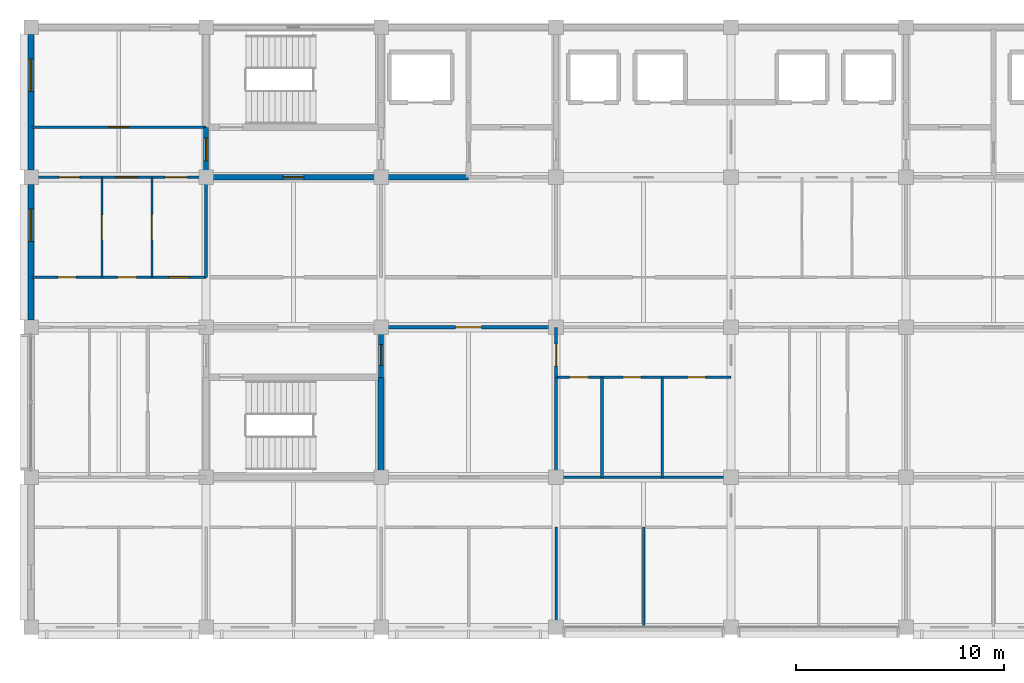
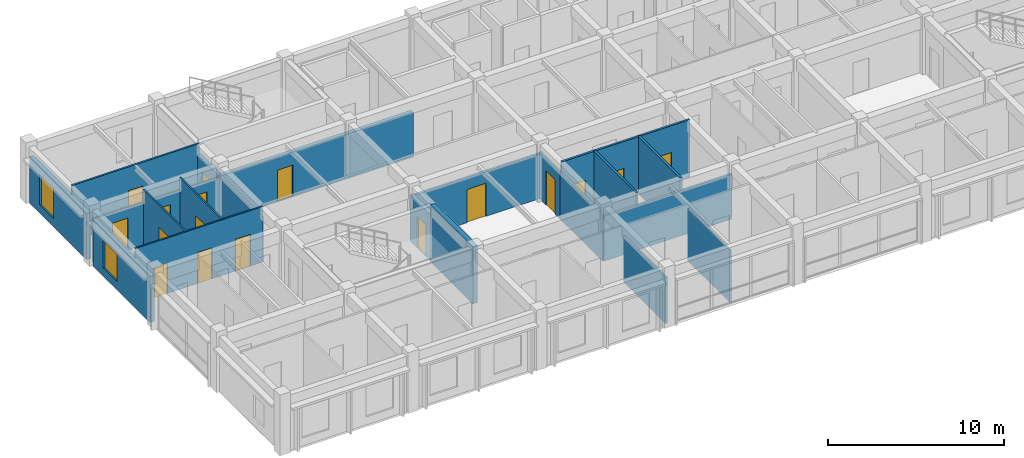
# One storey, part 11 of 19: 21 walls, 17 doors, 2 windows, 19 openings.
"""IFC4 building model written with IfcOpenShell, lengths in metres."""

import ifcopenshell
import ifcopenshell.guid

model = None  # the IFC model being written
_history = None  # IfcOwnerHistory: only IFC2X3 demands one
_inside = {}  # id of a spatial element -> (the spatial element, [elements in it])
_under = {}  # id of a project, library or spatial element -> (it, [spatial elements below it])
_declared = {}  # id of a project -> (the project, [libraries it declares])
_typed = {}  # id of a type object -> (the type object, [elements of that type])
_made_of = {}  # id of a material, layer set ... -> (it, [elements and type objects made of it])


def new_model(schema):
    """Start an empty IFC model of exactly this schema.

    Asked for "IFC4X3", IfcOpenShell would pick the latest addendum, in which some entities
    have other attributes; the version numbers below select the first issue.
    IFC2X3 requires an IfcOwnerHistory on every rooted entity: one is made here for all.
    """
    global model, _history
    if schema == "IFC4X3":
        model = ifcopenshell.file(schema_version=(4, 3, 0, 0))
    else:
        model = ifcopenshell.file(schema=schema)
    _inside.clear()
    _under.clear()
    _declared.clear()
    _typed.clear()
    _made_of.clear()
    _history = None
    if model.schema == "IFC2X3":
        org = make("IfcOrganization", Name="unknown")
        user = make(
            "IfcPersonAndOrganization",
            ThePerson=make("IfcPerson", FamilyName="unknown"),
            TheOrganization=org,
        )
        app = make(
            "IfcApplication",
            ApplicationDeveloper=org,
            Version="unknown",
            ApplicationFullName="unknown",
            ApplicationIdentifier="unknown",
        )
        _history = make(
            "IfcOwnerHistory",
            OwningUser=user,
            OwningApplication=app,
            ChangeAction="ADDED",
            CreationDate=0,
        )
    return model


def make(cls, **values):
    """One entity of the class cls with the attributes given. An attribute that is None is left unset."""
    return model.create_entity(
        cls, **{name: value for name, value in values.items() if value is not None}
    )


def rooted(cls, **values):
    """An entity with a GlobalId (a new one), such as an element, a storey or a relation."""
    return make(cls, GlobalId=ifcopenshell.guid.new(), OwnerHistory=_history, **values)


def si_unit(unit_type, name, prefix=None):
    """IfcSIUnit, for example si_unit("LENGTHUNIT", "METRE", prefix="MILLI")."""
    return make("IfcSIUnit", UnitType=unit_type, Prefix=prefix, Name=name)


def assignment(units):
    """IfcUnitAssignment: the units of a project."""
    return None if units is None else make("IfcUnitAssignment", Units=units)


def point(xyz):
    """IfcCartesianPoint."""
    return None if xyz is None else make("IfcCartesianPoint", Coordinates=xyz)


def direction(xyz):
    """IfcDirection."""
    return None if xyz is None else make("IfcDirection", DirectionRatios=xyz)


def frame(location, z_axis=None, x_axis=None):
    """IfcAxis2Placement3D, a coordinate frame: its origin and axes. An axis left out is left unset."""
    return make(
        "IfcAxis2Placement3D",
        Location=point(location),
        Axis=direction(z_axis),
        RefDirection=direction(x_axis),
    )


def frame_2d(location, x_axis=None):
    """IfcAxis2Placement2D, a coordinate frame in the plane: its origin and x axis."""
    return make(
        "IfcAxis2Placement2D", Location=point(location), RefDirection=direction(x_axis)
    )


def origin():
    """The frame at (0, 0, 0) with its axes left unset."""
    return frame((0.0, 0.0, 0.0))


def place(relative_to, where):
    """IfcLocalPlacement: puts the frame where relative to a parent placement (None: the world)."""
    return make(
        "IfcLocalPlacement", PlacementRelTo=relative_to, RelativePlacement=where
    )


def context(
    kind, dimensions, precision=None, world=None, true_north=None, identifier=None
):
    """IfcGeometricRepresentationContext, for example the 3D "Model" context."""
    return make(
        "IfcGeometricRepresentationContext",
        ContextIdentifier=identifier,
        ContextType=kind,
        CoordinateSpaceDimension=dimensions,
        Precision=precision,
        WorldCoordinateSystem=world,
        TrueNorth=true_north,
    )


def subcontext(parent, identifier, kind, view, scale=None):
    """IfcGeometricRepresentationSubContext, for example "Body" below "Model"."""
    return make(
        "IfcGeometricRepresentationSubContext",
        ContextIdentifier=identifier,
        ContextType=kind,
        ParentContext=parent,
        TargetScale=scale,
        TargetView=view,
    )


def project(units=None, contexts=None):
    """IfcProject with its units and contexts."""
    return rooted(
        "IfcProject",
        Name="project",
        RepresentationContexts=contexts,
        UnitsInContext=assignment(units),
    )


def spatial(cls, under=None, at=None, **own):
    """A site, building, storey or space (cls), placed at a placement, below another one or the project."""
    s = rooted(cls, ObjectPlacement=at, **own)
    if under is not None:
        _under.setdefault(under.id(), (under, []))[1].append(s)
    return s


def profile(cls, at=None, kind="AREA", **sizes):
    """A parametric profile (cls). Its sizes go by their IFC names, for example OverallWidth=200.0."""
    return make(cls, ProfileType=kind, Position=at, **sizes)


def rectangle(**sizes):
    """IfcRectangleProfileDef."""
    return profile("IfcRectangleProfileDef", **sizes)


def extrude(swept, where, along, depth):
    """IfcExtrudedAreaSolid: the profile swept, set in the frame where, extruded along a direction by depth."""
    return make(
        "IfcExtrudedAreaSolid",
        SweptArea=swept,
        Position=where,
        ExtrudedDirection=direction(along),
        Depth=depth,
    )


def shape(context_of_items, identifier, shape_type, items):
    """IfcShapeRepresentation: the items that make up one representation, for example the "Body"."""
    return make(
        "IfcShapeRepresentation",
        ContextOfItems=context_of_items,
        RepresentationIdentifier=identifier,
        RepresentationType=shape_type,
        Items=items,
    )


def material(Name=None, Category=None):
    """IfcMaterial."""
    return make("IfcMaterial", Name=Name, Category=Category)


def layer(
    of_material, thickness, ventilated=None, Name=None, Category=None, Priority=None
):
    """IfcMaterialLayer: one layer of a wall or slab, of a material (None: an air gap)."""
    return make(
        "IfcMaterialLayer",
        Material=of_material,
        LayerThickness=thickness,
        IsVentilated=ventilated,
        Name=Name,
        Category=Category,
        Priority=Priority,
    )


def layer_set(layers, Name=None):
    """IfcMaterialLayerSet."""
    return make("IfcMaterialLayerSet", MaterialLayers=layers, LayerSetName=Name)


def made_of(thing, what):
    """Note that an element or type object is made of a material, layer set ...; save() writes the relation."""
    if what is not None:
        _made_of.setdefault(what.id(), (what, []))[1].append(thing)
    return thing


def type_object(cls, material=None, **own):
    """A type object (cls), such as IfcWallType, which elements share."""
    return made_of(rooted(cls, **own), material)


def element(
    cls,
    number,
    at=None,
    inside=None,
    cuts=None,
    type_object=None,
    material=None,
    context=None,
    identifier="Body",
    shape_type=None,
    held_by="IfcProductDefinitionShape",
    body=None,
    shapes=None,
    **own,
):
    """One element of the class cls, such as IfcWall. Its Tag is "e" and its number.

    at: its placement. inside: the storey or other place that contains it. cuts: it is an
    opening in that element (IfcRelVoidsElement). A single representation is given by context,
    identifier, shape_type and body (its items); several are given by shapes. held_by: the class
    of the entity that holds the representations. save() writes the other relations.
    """
    e = rooted(cls, Tag="e%d" % number, ObjectPlacement=at, **own)
    if body is not None:
        shapes = [shape(context, identifier, shape_type, body)]
    if shapes is not None:
        e.Representation = make(held_by, Representations=shapes)
    if inside is not None:
        _inside.setdefault(inside.id(), (inside, []))[1].append(e)
    if cuts is not None:
        rooted(
            "IfcRelVoidsElement", RelatingBuildingElement=cuts, RelatedOpeningElement=e
        )
    if type_object is not None:
        _typed.setdefault(type_object.id(), (type_object, []))[1].append(e)
    return made_of(e, material)


def fill(opening, filler):
    """IfcRelFillsElement: the door or window that sits in an opening."""
    return rooted(
        "IfcRelFillsElement",
        RelatingOpeningElement=opening,
        RelatedBuildingElement=filler,
    )


def aggregate(whole, parts):
    """IfcRelAggregates: a whole, such as a stair, and the parts it consists of."""
    return rooted("IfcRelAggregates", RelatingObject=whole, RelatedObjects=parts)


def save(model, path):
    """Write the relations noted so far, then the file.

    IfcRelAggregates (storeys below a building ...), IfcRelContainedInSpatialStructure (elements
    in a storey), IfcRelDefinesByType, IfcRelAssociatesMaterial and IfcRelDeclares: one each for
    every whole, place, type object, material and project.
    """
    for whole, parts in _under.values():
        aggregate(whole, parts)
    for where, things in _inside.values():
        rooted(
            "IfcRelContainedInSpatialStructure",
            RelatedElements=things,
            RelatingStructure=where,
        )
    for kind, things in _typed.values():
        rooted("IfcRelDefinesByType", RelatedObjects=things, RelatingType=kind)
    for what, things in _made_of.values():
        rooted("IfcRelAssociatesMaterial", RelatedObjects=things, RelatingMaterial=what)
    for by, libraries in _declared.values():
        rooted("IfcRelDeclares", RelatingContext=by, RelatedDefinitions=libraries)
    model.write(path)


model = new_model("IFC4")

# Units and contexts
model_context = context("Model", 3, precision=1e-05, world=origin(), true_north=direction((0.0, 1.0)))
body_context = subcontext(model_context, "Body", "Model", "MODEL_VIEW")
ifc_project = project(units=[si_unit("LENGTHUNIT", "METRE"), si_unit("AREAUNIT", "SQUARE_METRE"), si_unit("VOLUMEUNIT", "CUBIC_METRE"), si_unit("PLANEANGLEUNIT", "RADIAN"), si_unit("MASSUNIT", "GRAM", prefix="KILO")], contexts=[model_context])

# Site, building, storey
site_placement = place(None, origin())
site = spatial("IfcSite", under=ifc_project, at=site_placement, CompositionType="ELEMENT")
building_placement = place(site_placement, origin())
building = spatial("IfcBuilding", under=site, at=building_placement, Name="Chengyuan Square Courthouse", CompositionType="ELEMENT")
storey_placement = place(building_placement, frame((0.0, 0.0, 56.10009765625)))
storey = spatial("IfcBuildingStorey", under=building, at=storey_placement, Name="L13", CompositionType="ELEMENT", Elevation=56.10009765625)

# Wall, opening, window
ifc_material_1 = material(Name="Concrete C40", Category="concrete")
ifc_layer_1 = layer(ifc_material_1, 0.280029296875)
ifc_layer_set_1 = layer_set([ifc_layer_1], Name="Concrete C40")
wall_type_1 = type_object("IfcWallType", Name="WL-EW4", PredefinedType="STANDARD", material=ifc_layer_set_1)
wall_1_placement = place(storey_placement, frame((50.39990234375, 93.945068359375, 0.0), z_axis=(0.0, 0.0, 1.0), x_axis=(0.0, 1.0, 0.0)))
wall_1 = element("IfcWall", 1, at=wall_1_placement, inside=storey, type_object=wall_type_1, Name="Exterior Wall WL-L13-E490", PredefinedType="STANDARD", context=body_context, shape_type="SweptSolid", body=[
    extrude(rectangle(XDim=6.510009765625, YDim=0.280029296875, at=frame_2d((3.2548828125, 0.0))), origin(), (0.0, 0.0, 1.0), 3.199951171875),
])
opening_1_placement = place(wall_1_placement, frame((3.780029296875, 0.0, 0.550048828125)))
opening_1 = element("IfcOpeningElement", 2, at=opening_1_placement, cuts=wall_1, Name="Opening WN-223", PredefinedType="OPENING", context=body_context, shape_type="SweptSolid", body=[
    extrude(rectangle(XDim=1.550048828125, YDim=1.919921875, at=frame_2d((0.77490234375, 0.9599609375))), frame((0.0, 0.152099609375, 0.0), z_axis=(0.0, -1.0, 0.0), x_axis=(1.0, 0.0, 0.0)), (0.0, 0.0, 1.0), 0.303955078125),
])
ifc_material_2 = material(Name="Thermally Broken Aluminium Triple Low-E Window", Category="aluminium")
window_type_1 = type_object("IfcWindowType", Name="WT-29", PartitioningType="SINGLE_PANEL", PredefinedType="WINDOW", material=ifc_material_2)
window_1_placement = place(opening_1_placement, origin())
window_1 = element("IfcWindow", 3, at=window_1_placement, inside=storey, type_object=window_type_1, Name="Facade Window WN-223", OverallHeight=1.919921875, OverallWidth=1.550048828125, PartitioningType="SINGLE_PANEL", PredefinedType="WINDOW", context=body_context, shape_type="SweptSolid", body=[
    extrude(rectangle(XDim=1.550048828125, YDim=1.919921875, at=frame_2d((0.77490234375, 0.9599609375))), frame((0.0, 0.030029296875, 0.0), z_axis=(0.0, -1.0, 0.0), x_axis=(1.0, 0.0, 0.0)), (0.0, 0.0, 1.0), 0.06005859375),
])
fill(opening_1, window_1)

wall_2_placement = place(storey_placement, frame((50.39990234375, 101.14501953125, 0.0), z_axis=(0.0, 0.0, 1.0), x_axis=(0.0, 1.0, 0.0)))
wall_2 = element("IfcWall", 4, at=wall_2_placement, inside=storey, type_object=wall_type_1, Name="Exterior Wall WL-L13-E492", PredefinedType="STANDARD", context=body_context, shape_type="SweptSolid", body=[
    extrude(rectangle(XDim=6.510009765625, YDim=0.280029296875, at=frame_2d((3.2548828125, 0.0))), origin(), (0.0, 0.0, 1.0), 3.199951171875),
])
opening_2_placement = place(wall_2_placement, frame((3.780029296875, 0.0, 0.550048828125)))
opening_2 = element("IfcOpeningElement", 5, at=opening_2_placement, cuts=wall_2, Name="Opening WN-225", PredefinedType="OPENING", context=body_context, shape_type="SweptSolid", body=[
    extrude(rectangle(XDim=1.550048828125, YDim=2.1201171875, at=frame_2d((0.77490234375, 1.06005859375))), frame((0.0, 0.152099609375, 0.0), z_axis=(0.0, -1.0, 0.0), x_axis=(1.0, 0.0, 0.0)), (0.0, 0.0, 1.0), 0.303955078125),
])
window_type_2 = type_object("IfcWindowType", Name="WT-30", PartitioningType="SINGLE_PANEL", PredefinedType="WINDOW", material=ifc_material_2)
window_2_placement = place(opening_2_placement, origin())
window_2 = element("IfcWindow", 6, at=window_2_placement, inside=storey, type_object=window_type_2, Name="Facade Window WN-225", OverallHeight=2.1201171875, OverallWidth=1.550048828125, PartitioningType="SINGLE_PANEL", PredefinedType="WINDOW", context=body_context, shape_type="SweptSolid", body=[
    extrude(rectangle(XDim=1.550048828125, YDim=2.1201171875, at=frame_2d((0.77490234375, 1.06005859375))), frame((0.0, 0.030029296875, 0.0), z_axis=(0.0, -1.0, 0.0), x_axis=(1.0, 0.0, 0.0)), (0.0, 0.0, 1.0), 0.06005859375),
])
fill(opening_2, window_2)

# Wall, opening, door
ifc_layer_2 = layer(ifc_material_1, 0.25)
ifc_layer_set_2 = layer_set([ifc_layer_2], Name="Concrete C40")
wall_type_2 = type_object("IfcWallType", Name="WL-FW1", PredefinedType="STANDARD", material=ifc_layer_set_2)
wall_3_placement = place(storey_placement, frame((58.800048828125, 100.800048828125, 0.0), z_axis=(0.0, 0.0, 1.0), x_axis=(1.0, 0.0, 0.0)))
wall_3 = element("IfcWall", 7, at=wall_3_placement, inside=storey, type_object=wall_type_2, Name="Interior Wall WL-L13-I3797", PredefinedType="STANDARD", context=body_context, shape_type="SweptSolid", body=[
    extrude(rectangle(XDim=12.599853515625, YDim=0.25, at=frame_2d((6.2998046875, 0.0))), origin(), (0.0, 0.0, 1.0), 3.10986328125),
])
opening_3_placement = place(wall_3_placement, frame((3.699951171875, 0.0, 0.0)))
opening_3 = element("IfcOpeningElement", 8, at=opening_3_placement, cuts=wall_3, Name="Opening DR-3129", PredefinedType="OPENING", context=body_context, shape_type="SweptSolid", body=[
    extrude(rectangle(XDim=1.0, YDim=2.199951171875, at=frame_2d((0.5, 1.10009765625))), frame((0.0, 0.136962890625, 0.0), z_axis=(0.0, -1.0, 0.0), x_axis=(1.0, 0.0, 0.0)), (0.0, 0.0, 1.0), 0.27392578125),
])
ifc_material_3 = material(Name="Steel Q235B Fire Door", Category="steel")
door_type_1 = type_object("IfcDoorType", Name="DT-11", OperationType="NOTDEFINED", PredefinedType="DOOR", material=ifc_material_3)
door_1_placement = place(opening_3_placement, origin())
door_1 = element("IfcDoor", 9, at=door_1_placement, inside=storey, type_object=door_type_1, Name="Interior Door DR-3129", OperationType="SINGLE_SWING_RIGHT", OverallHeight=2.199951171875, OverallWidth=1.0, PredefinedType="DOOR", context=body_context, shape_type="SweptSolid", body=[
    extrude(rectangle(XDim=1.0, YDim=2.199951171875, at=frame_2d((0.5, 1.10009765625))), frame((0.0, 0.02490234375, 0.0), z_axis=(0.0, -1.0, 0.0), x_axis=(1.0, 0.0, 0.0)), (0.0, 0.0, 1.0), 0.050048828125),
])
fill(opening_3, door_1)

wall_4_placement = place(storey_placement, frame((58.800048828125, 100.800048828125, 0.0), z_axis=(0.0, 0.0, 1.0), x_axis=(0.0, 1.0, 0.0)))
wall_4 = element("IfcWall", 10, at=wall_4_placement, inside=storey, type_object=wall_type_2, Name="Interior Wall WL-L13-I3832", PredefinedType="STANDARD", context=body_context, shape_type="SweptSolid", body=[
    extrude(rectangle(XDim=2.39990234375, YDim=0.25, at=frame_2d((1.199951171875, 0.0))), origin(), (0.0, 0.0, 1.0), 3.099853515625),
])
opening_4_placement = place(wall_4_placement, frame((0.784912109375, 0.0, 0.0)))
opening_4 = element("IfcOpeningElement", 11, at=opening_4_placement, cuts=wall_4, Name="Opening DR-3128", PredefinedType="OPENING", context=body_context, shape_type="SweptSolid", body=[
    extrude(rectangle(XDim=1.10009765625, YDim=2.199951171875, at=frame_2d((0.550048828125, 1.10009765625))), frame((0.0, 0.136962890625, 0.0), z_axis=(0.0, -1.0, 0.0), x_axis=(1.0, 0.0, 0.0)), (0.0, 0.0, 1.0), 0.27392578125),
])
door_type_2 = type_object("IfcDoorType", Name="DT-10", OperationType="NOTDEFINED", PredefinedType="DOOR", material=ifc_material_3)
door_2_placement = place(opening_4_placement, origin())
door_2 = element("IfcDoor", 12, at=door_2_placement, inside=storey, type_object=door_type_2, Name="Interior Door DR-3128", OperationType="SINGLE_SWING_LEFT", OverallHeight=2.199951171875, OverallWidth=1.10009765625, PredefinedType="DOOR", context=body_context, shape_type="SweptSolid", body=[
    extrude(rectangle(XDim=1.10009765625, YDim=2.199951171875, at=frame_2d((0.550048828125, 1.10009765625))), frame((0.0, 0.02490234375, 0.0), z_axis=(0.0, -1.0, 0.0), x_axis=(1.0, 0.0, 0.0)), (0.0, 0.0, 1.0), 0.050048828125),
])
fill(opening_4, door_2)

wall_5_placement = place(storey_placement, frame((67.199951171875, 91.199951171875, 0.0), z_axis=(0.0, 0.0, 1.0), x_axis=(0.0, 1.0, 0.0)))
wall_5 = element("IfcWall", 13, at=wall_5_placement, inside=storey, type_object=wall_type_2, Name="Interior Wall WL-L13-I3837", PredefinedType="STANDARD", context=body_context, shape_type="SweptSolid", body=[
    extrude(rectangle(XDim=2.400146484375, YDim=0.25, at=frame_2d((1.2001953125, 0.0))), origin(), (0.0, 0.0, 1.0), 3.2099609375),
])
opening_5_placement = place(wall_5_placement, frame((0.56494140625, 0.0, 0.0)))
opening_5 = element("IfcOpeningElement", 14, at=opening_5_placement, cuts=wall_5, Name="Opening DR-3135", PredefinedType="OPENING", context=body_context, shape_type="SweptSolid", body=[
    extrude(rectangle(XDim=1.0, YDim=2.199951171875, at=frame_2d((0.5, 1.10009765625))), frame((0.0, 0.136962890625, 0.0), z_axis=(0.0, -1.0, 0.0), x_axis=(1.0, 0.0, 0.0)), (0.0, 0.0, 1.0), 0.27392578125),
])
door_3_placement = place(opening_5_placement, origin())
door_3 = element("IfcDoor", 15, at=door_3_placement, inside=storey, type_object=door_type_1, Name="Interior Door DR-3135", OperationType="SINGLE_SWING_LEFT", OverallHeight=2.199951171875, OverallWidth=1.0, PredefinedType="DOOR", context=body_context, shape_type="SweptSolid", body=[
    extrude(rectangle(XDim=1.0, YDim=2.199951171875, at=frame_2d((0.5, 1.10009765625))), frame((0.0, 0.02490234375, 0.0), z_axis=(0.0, -1.0, 0.0), x_axis=(1.0, 0.0, 0.0)), (0.0, 0.0, 1.0), 0.050048828125),
])
fill(opening_5, door_3)

ifc_material_4 = material(Name="Deliberation Room Sound-Insulated Partition")
ifc_layer_3 = layer(ifc_material_4, 0.14990234375)
ifc_layer_set_3 = layer_set([ifc_layer_3], Name="Deliberation Room Sound-Insulated Partition")
wall_type_3 = type_object("IfcWallType", Name="WL-PT3", PredefinedType="STANDARD", material=ifc_layer_set_3)
wall_6_placement = place(storey_placement, frame((67.199951171875, 93.60009765625, 0.0), z_axis=(0.0, 0.0, 1.0), x_axis=(1.0, 0.0, 0.0)))
wall_6 = element("IfcWall", 16, at=wall_6_placement, inside=storey, type_object=wall_type_3, Name="Interior Wall WL-L13-I3785", PredefinedType="STANDARD", context=body_context, shape_type="SweptSolid", body=[
    extrude(rectangle(XDim=8.400146484375, YDim=0.14990234375, at=frame_2d((4.2001953125, 0.0))), origin(), (0.0, 0.0, 1.0), 3.10986328125),
])
opening_6_placement = place(wall_6_placement, frame((3.580078125, 0.0, 0.0)))
opening_6 = element("IfcOpeningElement", 17, at=opening_6_placement, cuts=wall_6, Name="Opening DR-3176", PredefinedType="OPENING", context=body_context, shape_type="SweptSolid", body=[
    extrude(rectangle(XDim=1.239990234375, YDim=2.300048828125, at=frame_2d((0.6201171875, 1.14990234375))), frame((0.0, 0.0869140625, 0.0), z_axis=(0.0, -1.0, 0.0), x_axis=(1.0, 0.0, 0.0)), (0.0, 0.0, 1.0), 0.173828125),
])
ifc_material_5 = material(Name="Acoustic Solid-Core Timber Door", Category="wood")
door_type_3 = type_object("IfcDoorType", Name="DT-37", OperationType="NOTDEFINED", PredefinedType="DOOR", material=ifc_material_5)
door_4_placement = place(opening_6_placement, origin())
door_4 = element("IfcDoor", 18, at=door_4_placement, inside=storey, type_object=door_type_3, Name="Interior Door DR-3176", OperationType="SINGLE_SWING_LEFT", OverallHeight=2.300048828125, OverallWidth=1.239990234375, PredefinedType="DOOR", context=body_context, shape_type="SweptSolid", body=[
    extrude(rectangle(XDim=1.239990234375, YDim=2.300048828125, at=frame_2d((0.6201171875, 1.14990234375))), frame((0.0, 0.02490234375, 0.0), z_axis=(0.0, -1.0, 0.0), x_axis=(1.0, 0.0, 0.0)), (0.0, 0.0, 1.0), 0.050048828125),
])
fill(opening_6, door_4)

# Wall
wall_7_placement = place(storey_placement, frame((58.800048828125, 96.0, 0.0), z_axis=(0.0, 0.0, 1.0), x_axis=(0.0, 1.0, 0.0)))
element("IfcWall", 19, at=wall_7_placement, inside=storey, type_object=wall_type_3, Name="Interior Wall WL-L13-I3831", PredefinedType="STANDARD", context=body_context, shape_type="SweptSolid", body=[
    extrude(rectangle(XDim=4.800048828125, YDim=0.14990234375, at=frame_2d((2.39990234375, 0.0))), origin(), (0.0, 0.0, 1.0), 3.099853515625),
])

# Wall, opening, door
wall_8_placement = place(storey_placement, frame((75.60009765625, 91.199951171875, 0.0), z_axis=(0.0, 0.0, 1.0), x_axis=(0.0, 1.0, 0.0)))
wall_8 = element("IfcWall", 20, at=wall_8_placement, inside=storey, type_object=wall_type_3, Name="Interior Wall WL-L13-I3849", PredefinedType="STANDARD", context=body_context, shape_type="SweptSolid", body=[
    extrude(rectangle(XDim=2.400146484375, YDim=0.14990234375, at=frame_2d((1.2001953125, 0.0))), origin(), (0.0, 0.0, 1.0), 3.2099609375),
])
opening_7_placement = place(wall_8_placement, frame((0.534912109375, 0.0, 0.0)))
opening_7 = element("IfcOpeningElement", 21, at=opening_7_placement, cuts=wall_8, Name="Opening DR-3164", PredefinedType="OPENING", context=body_context, shape_type="SweptSolid", body=[
    extrude(rectangle(XDim=1.06005859375, YDim=2.39990234375, at=frame_2d((0.530029296875, 1.199951171875))), frame((0.0, 0.0869140625, 0.0), z_axis=(0.0, -1.0, 0.0), x_axis=(1.0, 0.0, 0.0)), (0.0, 0.0, 1.0), 0.173828125),
])
door_type_4 = type_object("IfcDoorType", Name="DT-42", OperationType="NOTDEFINED", PredefinedType="DOOR", material=ifc_material_5)
door_5_placement = place(opening_7_placement, origin())
door_5 = element("IfcDoor", 22, at=door_5_placement, inside=storey, type_object=door_type_4, Name="Interior Door DR-3164", OperationType="SINGLE_SWING_LEFT", OverallHeight=2.39990234375, OverallWidth=1.06005859375, PredefinedType="DOOR", context=body_context, shape_type="SweptSolid", body=[
    extrude(rectangle(XDim=1.06005859375, YDim=2.39990234375, at=frame_2d((0.530029296875, 1.199951171875))), frame((0.0, 0.02490234375, 0.0), z_axis=(0.0, -1.0, 0.0), x_axis=(1.0, 0.0, 0.0)), (0.0, 0.0, 1.0), 0.050048828125),
])
fill(opening_7, door_5)

# Wall
ifc_material_6 = material(Name="Moisture-Resistant Masonry Wet-Room Partition", Category="masonry")
ifc_layer_4 = layer(ifc_material_6, 0.139892578125)
ifc_layer_set_4 = layer_set([ifc_layer_4], Name="Moisture-Resistant Masonry Wet-Room Partition")
wall_type_4 = type_object("IfcWallType", Name="WL-PT4", PredefinedType="STANDARD", material=ifc_layer_set_4)
wall_9_placement = place(storey_placement, frame((75.60009765625, 86.39990234375, 0.0), z_axis=(0.0, 0.0, 1.0), x_axis=(1.0, 0.0, 0.0)))
element("IfcWall", 23, at=wall_9_placement, inside=storey, type_object=wall_type_4, Name="Interior Wall WL-L13-I3773", PredefinedType="STANDARD", context=body_context, shape_type="SweptSolid", body=[
    extrude(rectangle(XDim=8.39990234375, YDim=0.139892578125, at=frame_2d((4.199951171875, 0.0))), origin(), (0.0, 0.0, 1.0), 3.10986328125),
])

# Wall, openings, doors
wall_10_placement = place(storey_placement, frame((75.60009765625, 91.199951171875, 0.0), z_axis=(0.0, 0.0, 1.0), x_axis=(1.0, 0.0, 0.0)))
wall_10 = element("IfcWall", 24, at=wall_10_placement, inside=storey, type_object=wall_type_4, Name="Interior Wall WL-L13-I3780", PredefinedType="STANDARD", context=body_context, shape_type="SweptSolid", body=[
    extrude(rectangle(XDim=8.39990234375, YDim=0.139892578125, at=frame_2d((4.199951171875, 0.0))), origin(), (0.0, 0.0, 1.0), 3.9599609375),
])
opening_8_placement = place(wall_10_placement, frame((0.64990234375, 0.0, 0.0)))
opening_8 = element("IfcOpeningElement", 25, at=opening_8_placement, cuts=wall_10, Name="Opening DR-3160", PredefinedType="OPENING", context=body_context, shape_type="SweptSolid", body=[
    extrude(rectangle(XDim=0.89990234375, YDim=2.14990234375, at=frame_2d((0.449951171875, 1.074951171875))), frame((0.0, 0.08203125, 0.0), z_axis=(0.0, -1.0, 0.0), x_axis=(1.0, 0.0, 0.0)), (0.0, 0.0, 1.0), 0.163818359375),
])
opening_9_placement = place(wall_10_placement, frame((3.219970703125, 0.0, 0.0)))
opening_9 = element("IfcOpeningElement", 26, at=opening_9_placement, cuts=wall_10, Name="Opening DR-3161", PredefinedType="OPENING", context=body_context, shape_type="SweptSolid", body=[
    extrude(rectangle(XDim=0.860107421875, YDim=2.10009765625, at=frame_2d((0.43017578125, 1.050048828125))), frame((0.0, 0.08203125, 0.0), z_axis=(0.0, -1.0, 0.0), x_axis=(1.0, 0.0, 0.0)), (0.0, 0.0, 1.0), 0.163818359375),
])
opening_10_placement = place(wall_10_placement, frame((6.320068359375, 0.0, 0.0)))
opening_10 = element("IfcOpeningElement", 27, at=opening_10_placement, cuts=wall_10, Name="Opening DR-3162", PredefinedType="OPENING", context=body_context, shape_type="SweptSolid", body=[
    extrude(rectangle(XDim=0.860107421875, YDim=2.10009765625, at=frame_2d((0.43017578125, 1.050048828125))), frame((0.0, 0.08203125, 0.0), z_axis=(0.0, -1.0, 0.0), x_axis=(1.0, 0.0, 0.0)), (0.0, 0.0, 1.0), 0.163818359375),
])
door_type_5 = type_object("IfcDoorType", Name="DT-27", OperationType="NOTDEFINED", PredefinedType="DOOR", material=ifc_material_5)
door_6_placement = place(opening_8_placement, origin())
door_6 = element("IfcDoor", 28, at=door_6_placement, inside=storey, type_object=door_type_5, Name="Interior Door DR-3160", OperationType="SINGLE_SWING_RIGHT", OverallHeight=2.14990234375, OverallWidth=0.89990234375, PredefinedType="DOOR", context=body_context, shape_type="SweptSolid", body=[
    extrude(rectangle(XDim=0.89990234375, YDim=2.14990234375, at=frame_2d((0.449951171875, 1.074951171875))), frame((0.0, 0.02490234375, 0.0), z_axis=(0.0, -1.0, 0.0), x_axis=(1.0, 0.0, 0.0)), (0.0, 0.0, 1.0), 0.050048828125),
])
fill(opening_8, door_6)
door_type_6 = type_object("IfcDoorType", Name="DT-28", OperationType="NOTDEFINED", PredefinedType="DOOR", material=ifc_material_5)
door_7_placement = place(opening_9_placement, origin())
door_7 = element("IfcDoor", 29, at=door_7_placement, inside=storey, type_object=door_type_6, Name="Interior Door DR-3161", OperationType="SINGLE_SWING_LEFT", OverallHeight=2.10009765625, OverallWidth=0.860107421875, PredefinedType="DOOR", context=body_context, shape_type="SweptSolid", body=[
    extrude(rectangle(XDim=0.860107421875, YDim=2.10009765625, at=frame_2d((0.43017578125, 1.050048828125))), frame((0.0, 0.02490234375, 0.0), z_axis=(0.0, -1.0, 0.0), x_axis=(1.0, 0.0, 0.0)), (0.0, 0.0, 1.0), 0.050048828125),
])
fill(opening_9, door_7)
door_8_placement = place(opening_10_placement, origin())
door_8 = element("IfcDoor", 30, at=door_8_placement, inside=storey, type_object=door_type_6, Name="Interior Door DR-3162", OperationType="SINGLE_SWING_RIGHT", OverallHeight=2.10009765625, OverallWidth=0.860107421875, PredefinedType="DOOR", context=body_context, shape_type="SweptSolid", body=[
    extrude(rectangle(XDim=0.860107421875, YDim=2.10009765625, at=frame_2d((0.43017578125, 1.050048828125))), frame((0.0, 0.02490234375, 0.0), z_axis=(0.0, -1.0, 0.0), x_axis=(1.0, 0.0, 0.0)), (0.0, 0.0, 1.0), 0.050048828125),
])
fill(opening_10, door_8)

# Walls
wall_11_placement = place(storey_placement, frame((75.60009765625, 86.39990234375, 0.0), z_axis=(0.0, 0.0, 1.0), x_axis=(0.0, 1.0, 0.0)))
element("IfcWall", 31, at=wall_11_placement, inside=storey, type_object=wall_type_4, Name="Interior Wall WL-L13-I3848", PredefinedType="STANDARD", context=body_context, shape_type="SweptSolid", body=[
    extrude(rectangle(XDim=4.800048828125, YDim=0.139892578125, at=frame_2d((2.39990234375, 0.0))), origin(), (0.0, 0.0, 1.0), 3.2099609375),
])
for number, where, z_axis, x_axis, name in (
    (32, (77.800048828125, 86.39990234375, 0.0), (0.0, 0.0, 1.0), (0.0, 1.0, 0.0), "Interior Wall WL-L13-I3854"),
    (33, (80.699951171875, 86.39990234375, 0.0), (0.0, 0.0, 1.0), (0.0, 1.0, 0.0), "Interior Wall WL-L13-I3858"),
):
    element("IfcWall", number, at=place(storey_placement, frame(where, z_axis=z_axis, x_axis=x_axis)), inside=storey, type_object=wall_type_4, Name=name, PredefinedType="STANDARD", context=body_context, shape_type="SweptSolid", body=[
        extrude(rectangle(XDim=4.800048828125, YDim=0.139892578125, at=frame_2d((2.39990234375, 0.0))), origin(), (0.0, 0.0, 1.0), 3.9599609375),
    ])

# Wall, opening, door
ifc_material_7 = material(Name="Judges Chambers Gypsum Stud Partition")
ifc_layer_5 = layer(ifc_material_7, 0.1201171875)
ifc_layer_set_5 = layer_set([ifc_layer_5], Name="Judges Chambers Gypsum Stud Partition")
wall_type_5 = type_object("IfcWallType", Name="WL-PT5", PredefinedType="STANDARD", material=ifc_layer_set_5)
wall_12_placement = place(storey_placement, frame((50.43994140625, 103.199951171875, 0.0), z_axis=(0.0, 0.0, 1.0), x_axis=(1.0, 0.0, 0.0)))
wall_12 = element("IfcWall", 34, at=wall_12_placement, inside=storey, type_object=wall_type_5, Name="Interior Wall WL-L13-I3803", PredefinedType="STANDARD", context=body_context, shape_type="SweptSolid", body=[
    extrude(rectangle(XDim=8.360107421875, YDim=0.1201171875, at=frame_2d((4.18017578125, 0.0))), origin(), (0.0, 0.0, 1.0), 3.849853515625),
])
opening_11_placement = place(wall_12_placement, frame((3.699951171875, 0.0, 0.0)))
opening_11 = element("IfcOpeningElement", 35, at=opening_11_placement, cuts=wall_12, Name="Opening DR-3152", PredefinedType="OPENING", context=body_context, shape_type="SweptSolid", body=[
    extrude(rectangle(XDim=0.9599609375, YDim=2.199951171875, at=frame_2d((0.47998046875, 1.10009765625))), frame((0.0, 0.072021484375, 0.0), z_axis=(0.0, -1.0, 0.0), x_axis=(1.0, 0.0, 0.0)), (0.0, 0.0, 1.0), 0.14404296875),
])
door_type_7 = type_object("IfcDoorType", Name="DT-30", OperationType="NOTDEFINED", PredefinedType="DOOR", material=ifc_material_5)
door_9_placement = place(opening_11_placement, origin())
door_9 = element("IfcDoor", 36, at=door_9_placement, inside=storey, type_object=door_type_7, Name="Interior Door DR-3152", OperationType="SINGLE_SWING_RIGHT", OverallHeight=2.199951171875, OverallWidth=0.9599609375, PredefinedType="DOOR", context=body_context, shape_type="SweptSolid", body=[
    extrude(rectangle(XDim=0.9599609375, YDim=2.199951171875, at=frame_2d((0.47998046875, 1.10009765625))), frame((0.0, 0.02490234375, 0.0), z_axis=(0.0, -1.0, 0.0), x_axis=(1.0, 0.0, 0.0)), (0.0, 0.0, 1.0), 0.050048828125),
])
fill(opening_11, door_9)

# Walls
wall_13_placement = place(storey_placement, frame((75.60009765625, 79.239990234375, 0.0), z_axis=(0.0, 0.0, 1.0), x_axis=(0.0, 1.0, 0.0)))
element("IfcWall", 37, at=wall_13_placement, inside=storey, type_object=wall_type_5, Name="Interior Wall WL-L13-I3847", PredefinedType="STANDARD", context=body_context, shape_type="SweptSolid", body=[
    extrude(rectangle(XDim=4.760009765625, YDim=0.1201171875, at=frame_2d((2.3798828125, 0.0))), origin(), (0.0, 0.0, 1.0), 3.2099609375),
])
wall_14_placement = place(storey_placement, frame((79.800048828125, 79.239990234375, 0.0), z_axis=(0.0, 0.0, 1.0), x_axis=(0.0, 1.0, 0.0)))
element("IfcWall", 38, at=wall_14_placement, inside=storey, type_object=wall_type_5, Name="Interior Wall WL-L13-I3857", PredefinedType="STANDARD", context=body_context, shape_type="SweptSolid", body=[
    extrude(rectangle(XDim=4.760009765625, YDim=0.1201171875, at=frame_2d((2.3798828125, 0.0))), origin(), (0.0, 0.0, 1.0), 3.60986328125),
])

# Wall, openings, doors
ifc_material_8 = material(Name="Gypsum Plasterboard Acoustic Stud Partition")
ifc_layer_6 = layer(ifc_material_8, 0.10009765625)
ifc_layer_set_6 = layer_set([ifc_layer_6], Name="Gypsum Plasterboard Acoustic Stud Partition")
wall_type_6 = type_object("IfcWallType", Name="WL-PT6", PredefinedType="STANDARD", material=ifc_layer_set_6)
wall_15_placement = place(storey_placement, frame((50.43994140625, 96.0, 0.0), z_axis=(0.0, 0.0, 1.0), x_axis=(1.0, 0.0, 0.0)))
wall_15 = element("IfcWall", 39, at=wall_15_placement, inside=storey, type_object=wall_type_6, Name="Interior Wall WL-L13-I3791", PredefinedType="STANDARD", context=body_context, shape_type="SweptSolid", body=[
    extrude(rectangle(XDim=8.360107421875, YDim=0.10009765625, at=frame_2d((4.18017578125, 0.0))), origin(), (0.0, 0.0, 1.0), 3.849853515625),
])
opening_12_placement = place(wall_15_placement, frame((1.25, 0.0, 0.0)))
opening_12 = element("IfcOpeningElement", 40, at=opening_12_placement, cuts=wall_15, Name="Opening DR-3167", PredefinedType="OPENING", context=body_context, shape_type="SweptSolid", body=[
    extrude(rectangle(XDim=0.860107421875, YDim=2.10009765625, at=frame_2d((0.43017578125, 1.050048828125))), frame((0.0, 0.06201171875, 0.0), z_axis=(0.0, -1.0, 0.0), x_axis=(1.0, 0.0, 0.0)), (0.0, 0.0, 1.0), 0.1240234375),
])
opening_13_placement = place(wall_15_placement, frame((4.10009765625, 0.0, 0.0)))
opening_13 = element("IfcOpeningElement", 41, at=opening_13_placement, cuts=wall_15, Name="Opening DR-3168", PredefinedType="OPENING", context=body_context, shape_type="SweptSolid", body=[
    extrude(rectangle(XDim=0.919921875, YDim=2.14990234375, at=frame_2d((0.4599609375, 1.074951171875))), frame((0.0, 0.06201171875, 0.0), z_axis=(0.0, -1.0, 0.0), x_axis=(1.0, 0.0, 0.0)), (0.0, 0.0, 1.0), 0.1240234375),
])
opening_14_placement = place(wall_15_placement, frame((6.580078125, 0.0, 0.0)))
opening_14 = element("IfcOpeningElement", 42, at=opening_14_placement, cuts=wall_15, Name="Opening DR-3169", PredefinedType="OPENING", context=body_context, shape_type="SweptSolid", body=[
    extrude(rectangle(XDim=0.9599609375, YDim=2.199951171875, at=frame_2d((0.47998046875, 1.10009765625))), frame((0.0, 0.06201171875, 0.0), z_axis=(0.0, -1.0, 0.0), x_axis=(1.0, 0.0, 0.0)), (0.0, 0.0, 1.0), 0.1240234375),
])
door_10_placement = place(opening_12_placement, origin())
door_10 = element("IfcDoor", 43, at=door_10_placement, inside=storey, type_object=door_type_6, Name="Interior Door DR-3167", OperationType="SINGLE_SWING_RIGHT", OverallHeight=2.10009765625, OverallWidth=0.860107421875, PredefinedType="DOOR", context=body_context, shape_type="SweptSolid", body=[
    extrude(rectangle(XDim=0.860107421875, YDim=2.10009765625, at=frame_2d((0.43017578125, 1.050048828125))), frame((0.0, 0.02490234375, 0.0), z_axis=(0.0, -1.0, 0.0), x_axis=(1.0, 0.0, 0.0)), (0.0, 0.0, 1.0), 0.050048828125),
])
fill(opening_12, door_10)
door_type_8 = type_object("IfcDoorType", Name="DT-29", OperationType="NOTDEFINED", PredefinedType="DOOR", material=ifc_material_5)
door_11_placement = place(opening_13_placement, origin())
door_11 = element("IfcDoor", 44, at=door_11_placement, inside=storey, type_object=door_type_8, Name="Interior Door DR-3168", OperationType="SINGLE_SWING_LEFT", OverallHeight=2.14990234375, OverallWidth=0.919921875, PredefinedType="DOOR", context=body_context, shape_type="SweptSolid", body=[
    extrude(rectangle(XDim=0.919921875, YDim=2.14990234375, at=frame_2d((0.4599609375, 1.074951171875))), frame((0.0, 0.02490234375, 0.0), z_axis=(0.0, -1.0, 0.0), x_axis=(1.0, 0.0, 0.0)), (0.0, 0.0, 1.0), 0.050048828125),
])
fill(opening_13, door_11)
door_12_placement = place(opening_14_placement, origin())
door_12 = element("IfcDoor", 45, at=door_12_placement, inside=storey, type_object=door_type_7, Name="Interior Door DR-3169", OperationType="SINGLE_SWING_RIGHT", OverallHeight=2.199951171875, OverallWidth=0.9599609375, PredefinedType="DOOR", context=body_context, shape_type="SweptSolid", body=[
    extrude(rectangle(XDim=0.9599609375, YDim=2.199951171875, at=frame_2d((0.47998046875, 1.10009765625))), frame((0.0, 0.02490234375, 0.0), z_axis=(0.0, -1.0, 0.0), x_axis=(1.0, 0.0, 0.0)), (0.0, 0.0, 1.0), 0.050048828125),
])
fill(opening_14, door_12)

wall_16_placement = place(storey_placement, frame((50.43994140625, 100.800048828125, 0.0), z_axis=(0.0, 0.0, 1.0), x_axis=(1.0, 0.0, 0.0)))
wall_16 = element("IfcWall", 46, at=wall_16_placement, inside=storey, type_object=wall_type_6, Name="Interior Wall WL-L13-I3796", PredefinedType="STANDARD", context=body_context, shape_type="SweptSolid", body=[
    extrude(rectangle(XDim=8.360107421875, YDim=0.10009765625, at=frame_2d((4.18017578125, 0.0))), origin(), (0.0, 0.0, 1.0), 3.0),
])
opening_15_placement = place(wall_16_placement, frame((1.294921875, 0.0, 0.0)))
opening_15 = element("IfcOpeningElement", 47, at=opening_15_placement, cuts=wall_16, Name="Opening DR-3153", PredefinedType="OPENING", context=body_context, shape_type="SweptSolid", body=[
    extrude(rectangle(XDim=1.0, YDim=2.25, at=frame_2d((0.5, 1.125))), frame((0.0, 0.06201171875, 0.0), z_axis=(0.0, -1.0, 0.0), x_axis=(1.0, 0.0, 0.0)), (0.0, 0.0, 1.0), 0.1240234375),
])
opening_16_placement = place(wall_16_placement, frame((4.0400390625, 0.0, 0.0)))
opening_16 = element("IfcOpeningElement", 48, at=opening_16_placement, cuts=wall_16, Name="Opening DR-3154", PredefinedType="OPENING", context=body_context, shape_type="SweptSolid", body=[
    extrude(rectangle(XDim=1.0400390625, YDim=2.199951171875, at=frame_2d((0.52001953125, 1.10009765625))), frame((0.0, 0.06201171875, 0.0), z_axis=(0.0, -1.0, 0.0), x_axis=(1.0, 0.0, 0.0)), (0.0, 0.0, 1.0), 0.1240234375),
])
opening_17_placement = place(wall_16_placement, frame((6.385009765625, 0.0, 0.0)))
opening_17 = element("IfcOpeningElement", 49, at=opening_17_placement, cuts=wall_16, Name="Opening DR-3155", PredefinedType="OPENING", context=body_context, shape_type="SweptSolid", body=[
    extrude(rectangle(XDim=1.080078125, YDim=2.25, at=frame_2d((0.5400390625, 1.125))), frame((0.0, 0.06201171875, 0.0), z_axis=(0.0, -1.0, 0.0), x_axis=(1.0, 0.0, 0.0)), (0.0, 0.0, 1.0), 0.1240234375),
])
door_type_9 = type_object("IfcDoorType", Name="DT-31", OperationType="NOTDEFINED", PredefinedType="DOOR", material=ifc_material_5)
door_13_placement = place(opening_15_placement, origin())
door_13 = element("IfcDoor", 50, at=door_13_placement, inside=storey, type_object=door_type_9, Name="Interior Door DR-3153", OperationType="SINGLE_SWING_LEFT", OverallHeight=2.25, OverallWidth=1.0, PredefinedType="DOOR", context=body_context, shape_type="SweptSolid", body=[
    extrude(rectangle(XDim=1.0, YDim=2.25, at=frame_2d((0.5, 1.125))), frame((0.0, 0.02490234375, 0.0), z_axis=(0.0, -1.0, 0.0), x_axis=(1.0, 0.0, 0.0)), (0.0, 0.0, 1.0), 0.050048828125),
])
fill(opening_15, door_13)
door_type_10 = type_object("IfcDoorType", Name="DT-32", OperationType="NOTDEFINED", PredefinedType="DOOR", material=ifc_material_5)
door_14_placement = place(opening_16_placement, origin())
door_14 = element("IfcDoor", 51, at=door_14_placement, inside=storey, type_object=door_type_10, Name="Interior Door DR-3154", OperationType="SINGLE_SWING_RIGHT", OverallHeight=2.199951171875, OverallWidth=1.0400390625, PredefinedType="DOOR", context=body_context, shape_type="SweptSolid", body=[
    extrude(rectangle(XDim=1.0400390625, YDim=2.199951171875, at=frame_2d((0.52001953125, 1.10009765625))), frame((0.0, 0.02490234375, 0.0), z_axis=(0.0, -1.0, 0.0), x_axis=(1.0, 0.0, 0.0)), (0.0, 0.0, 1.0), 0.050048828125),
])
fill(opening_16, door_14)
door_type_11 = type_object("IfcDoorType", Name="DT-33", OperationType="NOTDEFINED", PredefinedType="DOOR", material=ifc_material_5)
door_15_placement = place(opening_17_placement, origin())
door_15 = element("IfcDoor", 52, at=door_15_placement, inside=storey, type_object=door_type_11, Name="Interior Door DR-3155", OperationType="SINGLE_SWING_LEFT", OverallHeight=2.25, OverallWidth=1.080078125, PredefinedType="DOOR", context=body_context, shape_type="SweptSolid", body=[
    extrude(rectangle(XDim=1.080078125, YDim=2.25, at=frame_2d((0.5400390625, 1.125))), frame((0.0, 0.02490234375, 0.0), z_axis=(0.0, -1.0, 0.0), x_axis=(1.0, 0.0, 0.0)), (0.0, 0.0, 1.0), 0.050048828125),
])
fill(opening_17, door_15)

# Wall, opening, door
wall_17_placement = place(storey_placement, frame((53.800048828125, 96.0, 0.0), z_axis=(0.0, 0.0, 1.0), x_axis=(0.0, 1.0, 0.0)))
wall_17 = element("IfcWall", 53, at=wall_17_placement, inside=storey, type_object=wall_type_6, Name="Interior Wall WL-L13-I3824", PredefinedType="STANDARD", context=body_context, shape_type="SweptSolid", body=[
    extrude(rectangle(XDim=4.800048828125, YDim=0.10009765625, at=frame_2d((2.39990234375, 0.0))), origin(), (0.0, 0.0, 1.0), 3.849853515625),
])
opening_18_placement = place(wall_17_placement, frame((1.800048828125, 0.0, 0.0)))
opening_18 = element("IfcOpeningElement", 54, at=opening_18_placement, cuts=wall_17, Name="Opening DR-3192", PredefinedType="OPENING", context=body_context, shape_type="SweptSolid", body=[
    extrude(rectangle(XDim=1.199951171875, YDim=2.35009765625, at=frame_2d((0.60009765625, 1.175048828125))), frame((0.0, 0.06201171875, 0.0), z_axis=(0.0, -1.0, 0.0), x_axis=(1.0, 0.0, 0.0)), (0.0, 0.0, 1.0), 0.1240234375),
])
door_type_12 = type_object("IfcDoorType", Name="DT-36", OperationType="NOTDEFINED", PredefinedType="DOOR", material=ifc_material_5)
door_16_placement = place(opening_18_placement, origin())
door_16 = element("IfcDoor", 55, at=door_16_placement, inside=storey, type_object=door_type_12, Name="Interior Door DR-3192", OperationType="SINGLE_SWING_LEFT", OverallHeight=2.35009765625, OverallWidth=1.199951171875, PredefinedType="DOOR", context=body_context, shape_type="SweptSolid", body=[
    extrude(rectangle(XDim=1.199951171875, YDim=2.35009765625, at=frame_2d((0.60009765625, 1.175048828125))), frame((0.0, 0.02490234375, 0.0), z_axis=(0.0, -1.0, 0.0), x_axis=(1.0, 0.0, 0.0)), (0.0, 0.0, 1.0), 0.050048828125),
])
fill(opening_18, door_16)

wall_18_placement = place(storey_placement, frame((56.199951171875, 96.0, 0.0), z_axis=(0.0, 0.0, 1.0), x_axis=(0.0, 1.0, 0.0)))
wall_18 = element("IfcWall", 56, at=wall_18_placement, inside=storey, type_object=wall_type_6, Name="Interior Wall WL-L13-I3827", PredefinedType="STANDARD", context=body_context, shape_type="SweptSolid", body=[
    extrude(rectangle(XDim=4.800048828125, YDim=0.10009765625, at=frame_2d((2.39990234375, 0.0))), origin(), (0.0, 0.0, 1.0), 3.849853515625),
])
opening_19_placement = place(wall_18_placement, frame((1.780029296875, 0.0, 0.0)))
opening_19 = element("IfcOpeningElement", 57, at=opening_19_placement, cuts=wall_18, Name="Opening DR-3193", PredefinedType="OPENING", context=body_context, shape_type="SweptSolid", body=[
    extrude(rectangle(XDim=1.239990234375, YDim=2.300048828125, at=frame_2d((0.6201171875, 1.14990234375))), frame((0.0, 0.06201171875, 0.0), z_axis=(0.0, -1.0, 0.0), x_axis=(1.0, 0.0, 0.0)), (0.0, 0.0, 1.0), 0.1240234375),
])
door_17_placement = place(opening_19_placement, origin())
door_17 = element("IfcDoor", 58, at=door_17_placement, inside=storey, type_object=door_type_3, Name="Interior Door DR-3193", OperationType="SINGLE_SWING_RIGHT", OverallHeight=2.300048828125, OverallWidth=1.239990234375, PredefinedType="DOOR", context=body_context, shape_type="SweptSolid", body=[
    extrude(rectangle(XDim=1.239990234375, YDim=2.300048828125, at=frame_2d((0.6201171875, 1.14990234375))), frame((0.0, 0.02490234375, 0.0), z_axis=(0.0, -1.0, 0.0), x_axis=(1.0, 0.0, 0.0)), (0.0, 0.0, 1.0), 0.050048828125),
])
fill(opening_19, door_17)

# Wall
ifc_layer_7 = layer(ifc_material_1, 0.300048828125)
ifc_layer_set_7 = layer_set([ifc_layer_7], Name="Concrete C40")
wall_type_7 = type_object("IfcWallType", Name="WL-SW2", PredefinedType="SHEAR", material=ifc_layer_set_7)
wall_19_placement = place(storey_placement, frame((67.199951171875, 86.39990234375, 0.0), z_axis=(0.0, 0.0, 1.0), x_axis=(0.0, 1.0, 0.0)))
element("IfcWall", 59, at=wall_19_placement, inside=storey, type_object=wall_type_7, Name="Interior Wall WL-L13-I3836", PredefinedType="SHEAR", context=body_context, shape_type="SweptSolid", body=[
    extrude(rectangle(XDim=4.800048828125, YDim=0.300048828125, at=frame_2d((2.39990234375, 0.0))), origin(), (0.0, 0.0, 1.0), 3.9599609375),
])

save(model, "model.ifc")
